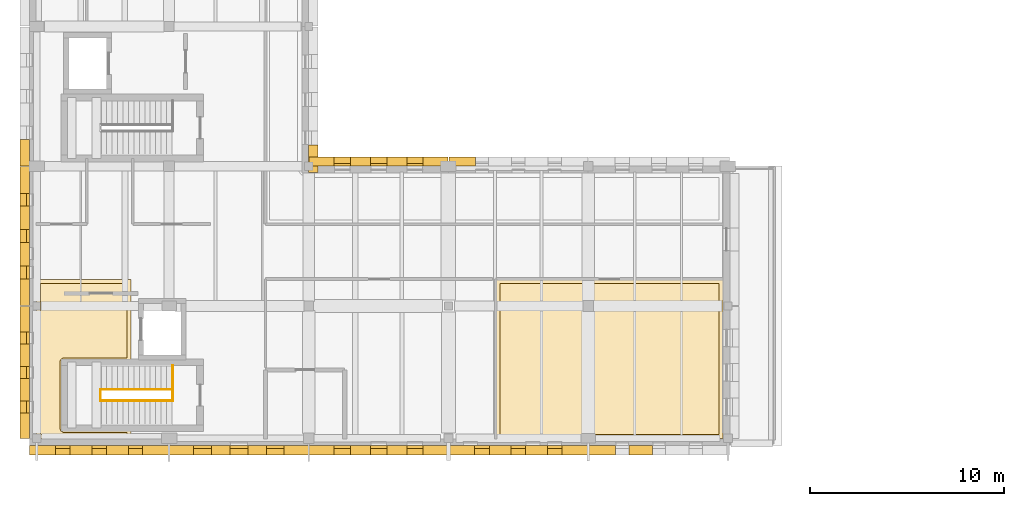
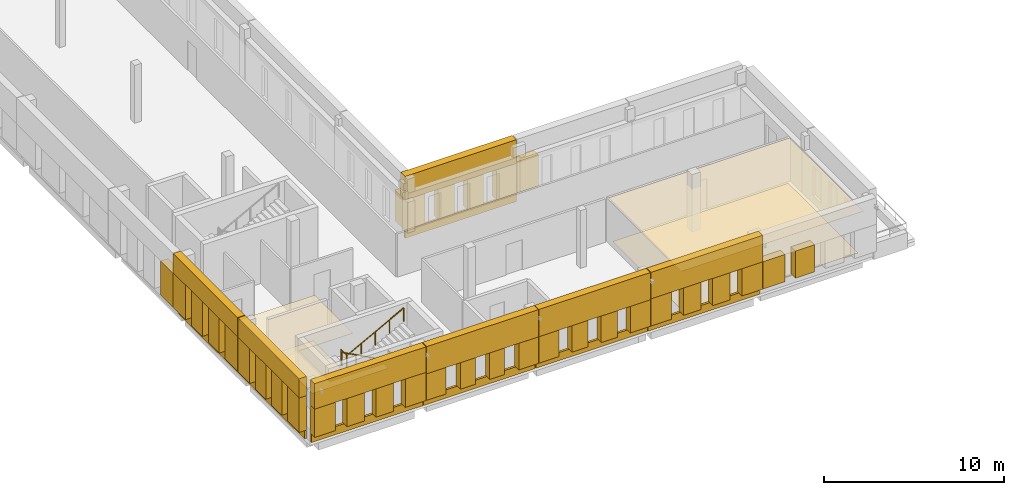
# One storey, part 28 of 34: 51 coverings, 4 railings.
"""IFC4 building model written with IfcOpenShell, lengths in metres."""

from ifc_helpers import new_model, si_unit, direction, frame, origin, origin_2d, place, context, subcontext, project, spatial, polyline, circle, outline, extrude, material, layer, layer_set, type_object, element, save


model = new_model("IFC4")

# Units and contexts
model_context = context("Model", 3, precision=1e-05, world=origin(), true_north=direction((0.0, 1.0)))
body_context = subcontext(model_context, "Body", "Model", "MODEL_VIEW")
ifc_project = project(units=[si_unit("LENGTHUNIT", "METRE"), si_unit("AREAUNIT", "SQUARE_METRE"), si_unit("VOLUMEUNIT", "CUBIC_METRE"), si_unit("PLANEANGLEUNIT", "RADIAN"), si_unit("MASSUNIT", "GRAM", prefix="KILO")], contexts=[model_context])

# Site, building, storey
site_placement = place(None, origin())
site = spatial("IfcSite", under=ifc_project, at=site_placement, CompositionType="ELEMENT")
building_placement = place(site_placement, origin())
building = spatial("IfcBuilding", under=site, at=building_placement, Name="Vardoun Plaza Health Centre", CompositionType="ELEMENT")
storey_placement = place(building_placement, frame((0.0, 0.0, 12.89990234375)))
storey = spatial("IfcBuildingStorey", under=building, at=storey_placement, Name="L03", CompositionType="ELEMENT", Elevation=12.89990234375)

# Coverings
ifc_material_1 = material(Name="Hygienic Acoustic Mineral-Fibre Ceiling", Category="concrete")
ifc_layer_1 = layer(ifc_material_1, 0.02490234375)
ifc_layer_set_1 = layer_set([ifc_layer_1], Name="Hygienic Acoustic Mineral-Fibre Ceiling")
covering_type_1 = type_object("IfcCoveringType", Name="CL-01", PredefinedType="CEILING", material=ifc_layer_set_1)
covering_1_placement = place(storey_placement, frame((0.0, 0.0, 2.880126953125)))
element("IfcCovering", 1, at=covering_1_placement, inside=storey, type_object=covering_type_1, Name="ENT Examination Room Acoustic Ceiling", PredefinedType="CEILING", context=body_context, shape_type="SweptSolid", body=[
    extrude(outline(polyline([(28.550048828125, 4.860107421875), (28.550048828125, 13.070068359375), (40.239990234375, 13.070068359375), (40.239990234375, 4.860107421875), (28.550048828125, 4.860107421875)])), origin(), (0.0, 0.0, 1.0), 0.02490234375),
])
covering_2_placement = place(storey_placement, frame((0.0, 0.0, 2.880126953125)))
element("IfcCovering", 2, at=covering_2_placement, inside=storey, type_object=covering_type_1, Name="Soiled Utility Room L03 Acoustic Ceiling", PredefinedType="CEILING", context=body_context, shape_type="SweptSolid", body=[
    extrude(outline(polyline([(4.860107421875, 13.070068359375), (9.75, 13.070068359375), (9.75, 8.81005859375), (6.300048828125, 8.81005859375), (6.299072265625, 8.81005859375), (6.298095703125, 8.809814453125), (6.297119140625, 8.8095703125), (6.296142578125, 8.80908203125), (6.29541015625, 8.808837890625), (6.29443359375, 8.808349609375), (6.293701171875, 8.8076171875), (6.29296875, 8.80712890625), (6.292236328125, 8.806396484375), (6.291748046875, 8.8056640625), (6.291259765625, 8.8046875), (6.290771484375, 8.8037109375), (6.290283203125, 8.802978515625), (6.290283203125, 8.802001953125), (6.2900390625, 8.801025390625), (6.2900390625, 8.800048828125), (6.2900390625, 5.39990234375), (6.2900390625, 5.39892578125), (6.290283203125, 5.39794921875), (6.290283203125, 5.397216796875), (6.290771484375, 5.396240234375), (6.291259765625, 5.395263671875), (6.291748046875, 5.394287109375), (6.292236328125, 5.393798828125), (6.29296875, 5.392822265625), (6.293701171875, 5.392333984375), (6.29443359375, 5.3916015625), (6.29541015625, 5.39111328125), (6.296142578125, 5.390869140625), (6.297119140625, 5.390380859375), (6.298095703125, 5.39013671875), (6.299072265625, 5.389892578125), (6.300048828125, 5.389892578125), (9.75, 5.389892578125), (9.75, 4.860107421875), (4.860107421875, 4.860107421875), (4.860107421875, 13.070068359375)])), origin(), (0.0, 0.0, 1.0), 0.02490234375),
])
ifc_material_2 = material(Name="Pale Limestone Concrete C35/45", Category="masonry")
ifc_layer_2 = layer(ifc_material_2, 0.080078125)
ifc_layer_set_2 = layer_set([ifc_layer_2], Name="Pale Limestone Concrete C35/45")
covering_type_2 = type_object("IfcCoveringType", Name="CL-EXT1", PredefinedType="CLADDING", material=ifc_layer_set_2)
covering_3_placement = place(storey_placement, frame((0.0, 0.0, 0.550048828125)))
element("IfcCovering", 3, at=covering_3_placement, inside=storey, type_object=covering_type_2, Name="V2 L03 Deep-Punched Slot Concrete Reveal Pier 356", PredefinedType="CLADDING", context=body_context, shape_type="SweptSolid", body=[
    extrude(outline(polyline([(18.89990234375, 20.005859375), (18.89990234375, 18.574951171875), (19.3798828125, 18.574951171875), (19.3798828125, 20.005859375), (18.89990234375, 20.005859375)])), origin(), (0.0, 0.0, 1.0), 2.080078125),
])
covering_4_placement = place(storey_placement, origin())
element("IfcCovering", 4, at=covering_4_placement, inside=storey, type_object=covering_type_2, Name="V2 L03 Pale Concrete Sill Band 357", PredefinedType="CLADDING", context=body_context, shape_type="SweptSolid", body=[
    extrude(outline(polyline([(18.919921875, 18.89990234375), (26.080078125, 18.89990234375), (26.080078125, 19.0400390625), (18.919921875, 19.0400390625), (18.919921875, 18.89990234375)])), origin(), (0.0, 0.0, 1.0), 0.550048828125),
])
covering_5_placement = place(storey_placement, frame((0.0, 0.0, 2.590087890625)))
element("IfcCovering", 5, at=covering_5_placement, inside=storey, type_object=covering_type_2, Name="V2 L03 Sculpted Concrete Eyebrow Hood 358", PredefinedType="CLADDING", context=body_context, shape_type="SweptSolid", body=[
    extrude(outline(polyline([(18.919921875, 18.89990234375), (26.080078125, 18.89990234375), (26.080078125, 19.3798828125), (18.919921875, 19.3798828125), (18.919921875, 18.89990234375)])), origin(), (0.0, 0.0, 1.0), 1.610107421875),
])
covering_6_placement = place(storey_placement, frame((0.0, 0.0, 0.550048828125)))
element("IfcCovering", 6, at=covering_6_placement, inside=storey, type_object=covering_type_2, Name="V2 L03 Deep-Punched Slot Concrete Reveal Pier 359", PredefinedType="CLADDING", context=body_context, shape_type="SweptSolid", body=[
    extrude(outline(polyline([(18.919921875, 18.89990234375), (20.2080078125, 18.89990234375), (20.2080078125, 19.3798828125), (18.919921875, 19.3798828125), (18.919921875, 18.89990234375)])), origin(), (0.0, 0.0, 1.0), 2.0400390625),
])
covering_7_placement = place(storey_placement, frame((0.0, 0.0, 0.550048828125)))
element("IfcCovering", 7, at=covering_7_placement, inside=storey, type_object=covering_type_2, Name="V2 L03 Deep-Punched Slot Concrete Reveal Pier 360", PredefinedType="CLADDING", context=body_context, shape_type="SweptSolid", body=[
    extrude(outline(polyline([(21.048095703125, 18.89990234375), (22.080078125, 18.89990234375), (22.080078125, 19.3798828125), (21.048095703125, 19.3798828125), (21.048095703125, 18.89990234375)])), origin(), (0.0, 0.0, 1.0), 2.0400390625),
])
covering_8_placement = place(storey_placement, frame((0.0, 0.0, 0.550048828125)))
element("IfcCovering", 8, at=covering_8_placement, inside=storey, type_object=covering_type_2, Name="V2 L03 Deep-Punched Slot Concrete Reveal Pier 361", PredefinedType="CLADDING", context=body_context, shape_type="SweptSolid", body=[
    extrude(outline(polyline([(22.919921875, 18.89990234375), (23.951904296875, 18.89990234375), (23.951904296875, 19.3798828125), (22.919921875, 19.3798828125), (22.919921875, 18.89990234375)])), origin(), (0.0, 0.0, 1.0), 2.0400390625),
])
covering_9_placement = place(storey_placement, frame((0.0, 0.0, 0.550048828125)))
element("IfcCovering", 9, at=covering_9_placement, inside=storey, type_object=covering_type_2, Name="V2 L03 Deep-Punched Slot Concrete Reveal Pier 362", PredefinedType="CLADDING", context=body_context, shape_type="SweptSolid", body=[
    extrude(outline(polyline([(24.7919921875, 18.89990234375), (26.080078125, 18.89990234375), (26.080078125, 19.3798828125), (24.7919921875, 19.3798828125), (24.7919921875, 18.89990234375)])), origin(), (0.0, 0.0, 1.0), 2.0400390625),
])
covering_10_placement = place(storey_placement, frame((0.0, 0.0, 0.550048828125)))
element("IfcCovering", 10, at=covering_10_placement, inside=storey, type_object=covering_type_2, Name="V2 L03 Deep-Punched Slot Concrete Reveal Pier 365", PredefinedType="CLADDING", context=body_context, shape_type="SweptSolid", body=[
    extrude(outline(polyline([(26.1201171875, 18.89990234375), (27.48291015625, 18.89990234375), (27.48291015625, 19.3798828125), (26.1201171875, 19.3798828125), (26.1201171875, 18.89990234375)])), origin(), (0.0, 0.0, 1.0), 2.14013671875),
])
covering_11_placement = place(storey_placement, frame((0.0, 0.0, 0.550048828125)))
element("IfcCovering", 11, at=covering_11_placement, inside=storey, type_object=covering_type_2, Name="V2 L03 Deep-Punched Slot Concrete Reveal Pier 388", PredefinedType="CLADDING", context=body_context, shape_type="SweptSolid", body=[
    extrude(outline(polyline([(36.610107421875, 4.5), (35.39208984375, 4.5), (35.39208984375, 4.02001953125), (36.610107421875, 4.02001953125), (36.610107421875, 4.5)])), origin(), (0.0, 0.0, 1.0), 1.85009765625),
])
covering_12_placement = place(storey_placement, frame((0.0, 0.0, 0.550048828125)))
element("IfcCovering", 12, at=covering_12_placement, inside=storey, type_object=covering_type_2, Name="V2 L03 Deep-Punched Slot Concrete Reveal Pier 389", PredefinedType="CLADDING", context=body_context, shape_type="SweptSolid", body=[
    extrude(outline(polyline([(34.7119140625, 4.5), (33.320068359375, 4.5), (33.320068359375, 4.02001953125), (34.7119140625, 4.02001953125), (34.7119140625, 4.5)])), origin(), (0.0, 0.0, 1.0), 1.85009765625),
])
covering_13_placement = place(storey_placement, origin())
element("IfcCovering", 13, at=covering_13_placement, inside=storey, type_object=covering_type_2, Name="V2 L03 Pale Concrete Sill Band 390", PredefinedType="CLADDING", context=body_context, shape_type="SweptSolid", body=[
    extrude(outline(polyline([(33.280029296875, 4.5), (26.1201171875, 4.5), (26.1201171875, 4.360107421875), (33.280029296875, 4.360107421875), (33.280029296875, 4.5)])), origin(), (0.0, 0.0, 1.0), 0.550048828125),
])
covering_14_placement = place(storey_placement, frame((0.0, 0.0, 2.400146484375)))
element("IfcCovering", 14, at=covering_14_placement, inside=storey, type_object=covering_type_2, Name="V2 L03 Sculpted Concrete Eyebrow Hood 391", PredefinedType="CLADDING", context=body_context, shape_type="SweptSolid", body=[
    extrude(outline(polyline([(33.280029296875, 4.5), (26.1201171875, 4.5), (26.1201171875, 4.02001953125), (33.280029296875, 4.02001953125), (33.280029296875, 4.5)])), origin(), (0.0, 0.0, 1.0), 1.800048828125),
])
covering_15_placement = place(storey_placement, frame((0.0, 0.0, 0.550048828125)))
element("IfcCovering", 15, at=covering_15_placement, inside=storey, type_object=covering_type_2, Name="V2 L03 Deep-Punched Slot Concrete Reveal Pier 392", PredefinedType="CLADDING", context=body_context, shape_type="SweptSolid", body=[
    extrude(outline(polyline([(33.280029296875, 4.5), (31.951904296875, 4.5), (31.951904296875, 4.02001953125), (33.280029296875, 4.02001953125), (33.280029296875, 4.5)])), origin(), (0.0, 0.0, 1.0), 1.85009765625),
])
covering_16_placement = place(storey_placement, frame((0.0, 0.0, 0.550048828125)))
element("IfcCovering", 16, at=covering_16_placement, inside=storey, type_object=covering_type_2, Name="V2 L03 Deep-Punched Slot Concrete Reveal Pier 393", PredefinedType="CLADDING", context=body_context, shape_type="SweptSolid", body=[
    extrude(outline(polyline([(31.19189453125, 4.5), (30.080078125, 4.5), (30.080078125, 4.02001953125), (31.19189453125, 4.02001953125), (31.19189453125, 4.5)])), origin(), (0.0, 0.0, 1.0), 1.85009765625),
])
covering_17_placement = place(storey_placement, frame((0.0, 0.0, 0.550048828125)))
element("IfcCovering", 17, at=covering_17_placement, inside=storey, type_object=covering_type_2, Name="V2 L03 Deep-Punched Slot Concrete Reveal Pier 394", PredefinedType="CLADDING", context=body_context, shape_type="SweptSolid", body=[
    extrude(outline(polyline([(29.320068359375, 4.5), (28.2080078125, 4.5), (28.2080078125, 4.02001953125), (29.320068359375, 4.02001953125), (29.320068359375, 4.5)])), origin(), (0.0, 0.0, 1.0), 1.85009765625),
])
covering_18_placement = place(storey_placement, frame((0.0, 0.0, 0.550048828125)))
element("IfcCovering", 18, at=covering_18_placement, inside=storey, type_object=covering_type_2, Name="V2 L03 Deep-Punched Slot Concrete Reveal Pier 395", PredefinedType="CLADDING", context=body_context, shape_type="SweptSolid", body=[
    extrude(outline(polyline([(27.447998046875, 4.5), (26.1201171875, 4.5), (26.1201171875, 4.02001953125), (27.447998046875, 4.02001953125), (27.447998046875, 4.5)])), origin(), (0.0, 0.0, 1.0), 1.85009765625),
])
covering_19_placement = place(storey_placement, origin())
element("IfcCovering", 19, at=covering_19_placement, inside=storey, type_object=covering_type_2, Name="V2 L03 Pale Concrete Sill Band 396", PredefinedType="CLADDING", context=body_context, shape_type="SweptSolid", body=[
    extrude(outline(polyline([(26.080078125, 4.5), (18.919921875, 4.5), (18.919921875, 4.360107421875), (26.080078125, 4.360107421875), (26.080078125, 4.5)])), origin(), (0.0, 0.0, 1.0), 0.550048828125),
])
covering_20_placement = place(storey_placement, frame((0.0, 0.0, 2.35009765625)))
element("IfcCovering", 20, at=covering_20_placement, inside=storey, type_object=covering_type_2, Name="V2 L03 Sculpted Concrete Eyebrow Hood 397", PredefinedType="CLADDING", context=body_context, shape_type="SweptSolid", body=[
    extrude(outline(polyline([(26.080078125, 4.5), (18.919921875, 4.5), (18.919921875, 4.02001953125), (26.080078125, 4.02001953125), (26.080078125, 4.5)])), origin(), (0.0, 0.0, 1.0), 1.85009765625),
])
covering_21_placement = place(storey_placement, frame((0.0, 0.0, 0.550048828125)))
element("IfcCovering", 21, at=covering_21_placement, inside=storey, type_object=covering_type_2, Name="V2 L03 Deep-Punched Slot Concrete Reveal Pier 398", PredefinedType="CLADDING", context=body_context, shape_type="SweptSolid", body=[
    extrude(outline(polyline([(26.080078125, 4.5), (24.7919921875, 4.5), (24.7919921875, 4.02001953125), (26.080078125, 4.02001953125), (26.080078125, 4.5)])), origin(), (0.0, 0.0, 1.0), 1.800048828125),
])
covering_22_placement = place(storey_placement, frame((0.0, 0.0, 0.550048828125)))
element("IfcCovering", 22, at=covering_22_placement, inside=storey, type_object=covering_type_2, Name="V2 L03 Deep-Punched Slot Concrete Reveal Pier 399", PredefinedType="CLADDING", context=body_context, shape_type="SweptSolid", body=[
    extrude(outline(polyline([(23.951904296875, 4.5), (22.919921875, 4.5), (22.919921875, 4.02001953125), (23.951904296875, 4.02001953125), (23.951904296875, 4.5)])), origin(), (0.0, 0.0, 1.0), 1.800048828125),
])
covering_23_placement = place(storey_placement, frame((0.0, 0.0, 0.550048828125)))
element("IfcCovering", 23, at=covering_23_placement, inside=storey, type_object=covering_type_2, Name="V2 L03 Deep-Punched Slot Concrete Reveal Pier 400", PredefinedType="CLADDING", context=body_context, shape_type="SweptSolid", body=[
    extrude(outline(polyline([(22.080078125, 4.5), (21.048095703125, 4.5), (21.048095703125, 4.02001953125), (22.080078125, 4.02001953125), (22.080078125, 4.5)])), origin(), (0.0, 0.0, 1.0), 1.800048828125),
])
covering_24_placement = place(storey_placement, frame((0.0, 0.0, 0.550048828125)))
element("IfcCovering", 24, at=covering_24_placement, inside=storey, type_object=covering_type_2, Name="V2 L03 Deep-Punched Slot Concrete Reveal Pier 401", PredefinedType="CLADDING", context=body_context, shape_type="SweptSolid", body=[
    extrude(outline(polyline([(20.2080078125, 4.5), (18.919921875, 4.5), (18.919921875, 4.02001953125), (20.2080078125, 4.02001953125), (20.2080078125, 4.5)])), origin(), (0.0, 0.0, 1.0), 1.800048828125),
])
covering_25_placement = place(storey_placement, origin())
element("IfcCovering", 25, at=covering_25_placement, inside=storey, type_object=covering_type_2, Name="V2 L03 Pale Concrete Sill Band 402", PredefinedType="CLADDING", context=body_context, shape_type="SweptSolid", body=[
    extrude(outline(polyline([(18.8798828125, 4.5), (11.719970703125, 4.5), (11.719970703125, 4.360107421875), (18.8798828125, 4.360107421875), (18.8798828125, 4.5)])), origin(), (0.0, 0.0, 1.0), 0.550048828125),
])
covering_26_placement = place(storey_placement, frame((0.0, 0.0, 2.35009765625)))
element("IfcCovering", 26, at=covering_26_placement, inside=storey, type_object=covering_type_2, Name="V2 L03 Sculpted Concrete Eyebrow Hood 403", PredefinedType="CLADDING", context=body_context, shape_type="SweptSolid", body=[
    extrude(outline(polyline([(18.8798828125, 4.5), (11.719970703125, 4.5), (11.719970703125, 4.02001953125), (18.8798828125, 4.02001953125), (18.8798828125, 4.5)])), origin(), (0.0, 0.0, 1.0), 1.85009765625),
])
covering_27_placement = place(storey_placement, frame((0.0, 0.0, 0.550048828125)))
element("IfcCovering", 27, at=covering_27_placement, inside=storey, type_object=covering_type_2, Name="V2 L03 Deep-Punched Slot Concrete Reveal Pier 404", PredefinedType="CLADDING", context=body_context, shape_type="SweptSolid", body=[
    extrude(outline(polyline([(18.8798828125, 4.5), (17.632080078125, 4.5), (17.632080078125, 4.02001953125), (18.8798828125, 4.02001953125), (18.8798828125, 4.5)])), origin(), (0.0, 0.0, 1.0), 1.800048828125),
])
covering_28_placement = place(storey_placement, frame((0.0, 0.0, 0.550048828125)))
element("IfcCovering", 28, at=covering_28_placement, inside=storey, type_object=covering_type_2, Name="V2 L03 Deep-Punched Slot Concrete Reveal Pier 405", PredefinedType="CLADDING", context=body_context, shape_type="SweptSolid", body=[
    extrude(outline(polyline([(16.7119140625, 4.5), (15.760009765625, 4.5), (15.760009765625, 4.02001953125), (16.7119140625, 4.02001953125), (16.7119140625, 4.5)])), origin(), (0.0, 0.0, 1.0), 1.800048828125),
])
covering_29_placement = place(storey_placement, frame((0.0, 0.0, 0.550048828125)))
element("IfcCovering", 29, at=covering_29_placement, inside=storey, type_object=covering_type_2, Name="V2 L03 Deep-Punched Slot Concrete Reveal Pier 406", PredefinedType="CLADDING", context=body_context, shape_type="SweptSolid", body=[
    extrude(outline(polyline([(14.840087890625, 4.5), (13.887939453125, 4.5), (13.887939453125, 4.02001953125), (14.840087890625, 4.02001953125), (14.840087890625, 4.5)])), origin(), (0.0, 0.0, 1.0), 1.800048828125),
])
covering_30_placement = place(storey_placement, frame((0.0, 0.0, 0.550048828125)))
element("IfcCovering", 30, at=covering_30_placement, inside=storey, type_object=covering_type_2, Name="V2 L03 Deep-Punched Slot Concrete Reveal Pier 407", PredefinedType="CLADDING", context=body_context, shape_type="SweptSolid", body=[
    extrude(outline(polyline([(12.968017578125, 4.5), (11.719970703125, 4.5), (11.719970703125, 4.02001953125), (12.968017578125, 4.02001953125), (12.968017578125, 4.5)])), origin(), (0.0, 0.0, 1.0), 1.800048828125),
])
covering_31_placement = place(storey_placement, origin())
element("IfcCovering", 31, at=covering_31_placement, inside=storey, type_object=covering_type_2, Name="V2 L03 Pale Concrete Sill Band 408", PredefinedType="CLADDING", context=body_context, shape_type="SweptSolid", body=[
    extrude(outline(polyline([(11.679931640625, 4.5), (4.52001953125, 4.5), (4.52001953125, 4.360107421875), (11.679931640625, 4.360107421875), (11.679931640625, 4.5)])), origin(), (0.0, 0.0, 1.0), 0.550048828125),
])
covering_32_placement = place(storey_placement, frame((0.0, 0.0, 2.47021484375)))
element("IfcCovering", 32, at=covering_32_placement, inside=storey, type_object=covering_type_2, Name="V2 L03 Sculpted Concrete Eyebrow Hood 409", PredefinedType="CLADDING", context=body_context, shape_type="SweptSolid", body=[
    extrude(outline(polyline([(11.679931640625, 4.5), (4.52001953125, 4.5), (4.52001953125, 4.02001953125), (11.679931640625, 4.02001953125), (11.679931640625, 4.5)])), origin(), (0.0, 0.0, 1.0), 1.72998046875),
])
covering_33_placement = place(storey_placement, frame((0.0, 0.0, 0.550048828125)))
element("IfcCovering", 33, at=covering_33_placement, inside=storey, type_object=covering_type_2, Name="V2 L03 Deep-Punched Slot Concrete Reveal Pier 410", PredefinedType="CLADDING", context=body_context, shape_type="SweptSolid", body=[
    extrude(outline(polyline([(11.679931640625, 4.5), (10.342041015625, 4.5), (10.342041015625, 4.02001953125), (11.679931640625, 4.02001953125), (11.679931640625, 4.5)])), origin(), (0.0, 0.0, 1.0), 1.920166015625),
])
covering_34_placement = place(storey_placement, frame((0.0, 0.0, 0.550048828125)))
element("IfcCovering", 34, at=covering_34_placement, inside=storey, type_object=covering_type_2, Name="V2 L03 Deep-Punched Slot Concrete Reveal Pier 411", PredefinedType="CLADDING", context=body_context, shape_type="SweptSolid", body=[
    extrude(outline(polyline([(9.60205078125, 4.5), (8.469970703125, 4.5), (8.469970703125, 4.02001953125), (9.60205078125, 4.02001953125), (9.60205078125, 4.5)])), origin(), (0.0, 0.0, 1.0), 1.920166015625),
])
covering_35_placement = place(storey_placement, frame((0.0, 0.0, 0.550048828125)))
element("IfcCovering", 35, at=covering_35_placement, inside=storey, type_object=covering_type_2, Name="V2 L03 Deep-Punched Slot Concrete Reveal Pier 412", PredefinedType="CLADDING", context=body_context, shape_type="SweptSolid", body=[
    extrude(outline(polyline([(7.72998046875, 4.5), (6.597900390625, 4.5), (6.597900390625, 4.02001953125), (7.72998046875, 4.02001953125), (7.72998046875, 4.5)])), origin(), (0.0, 0.0, 1.0), 1.920166015625),
])
covering_36_placement = place(storey_placement, frame((0.0, 0.0, 0.550048828125)))
element("IfcCovering", 36, at=covering_36_placement, inside=storey, type_object=covering_type_2, Name="V2 L03 Deep-Punched Slot Concrete Reveal Pier 413", PredefinedType="CLADDING", context=body_context, shape_type="SweptSolid", body=[
    extrude(outline(polyline([(5.85791015625, 4.5), (4.52001953125, 4.5), (4.52001953125, 4.02001953125), (5.85791015625, 4.02001953125), (5.85791015625, 4.5)])), origin(), (0.0, 0.0, 1.0), 1.920166015625),
])
covering_37_placement = place(storey_placement, origin())
element("IfcCovering", 37, at=covering_37_placement, inside=storey, type_object=covering_type_2, Name="V2 L03 Pale Concrete Sill Band 414", PredefinedType="CLADDING", context=body_context, shape_type="SweptSolid", body=[
    extrude(outline(polyline([(4.5, 4.864990234375), (4.5, 11.679931640625), (4.360107421875, 11.679931640625), (4.360107421875, 4.864990234375), (4.5, 4.864990234375)])), origin(), (0.0, 0.0, 1.0), 0.550048828125),
])
covering_38_placement = place(storey_placement, frame((0.0, 0.0, 2.900146484375)))
element("IfcCovering", 38, at=covering_38_placement, inside=storey, type_object=covering_type_2, Name="V2 L03 Sculpted Concrete Eyebrow Hood 415", PredefinedType="CLADDING", context=body_context, shape_type="SweptSolid", body=[
    extrude(outline(polyline([(4.5, 4.864990234375), (4.5, 11.679931640625), (4.02001953125, 11.679931640625), (4.02001953125, 4.864990234375), (4.5, 4.864990234375)])), origin(), (0.0, 0.0, 1.0), 1.300048828125),
])
covering_39_placement = place(storey_placement, frame((0.0, 0.0, 0.550048828125)))
element("IfcCovering", 39, at=covering_39_placement, inside=storey, type_object=covering_type_2, Name="V2 L03 Deep-Punched Slot Concrete Reveal Pier 416", PredefinedType="CLADDING", context=body_context, shape_type="SweptSolid", body=[
    extrude(outline(polyline([(4.5, 4.864990234375), (4.5, 6.18017578125), (4.02001953125, 6.18017578125), (4.02001953125, 4.864990234375), (4.5, 4.864990234375)])), origin(), (0.0, 0.0, 1.0), 2.35009765625),
])
covering_40_placement = place(storey_placement, frame((0.0, 0.0, 0.550048828125)))
element("IfcCovering", 40, at=covering_40_placement, inside=storey, type_object=covering_type_2, Name="V2 L03 Deep-Punched Slot Concrete Reveal Pier 417", PredefinedType="CLADDING", context=body_context, shape_type="SweptSolid", body=[
    extrude(outline(polyline([(4.5, 6.80029296875), (4.5, 7.96240234375), (4.02001953125, 7.96240234375), (4.02001953125, 6.80029296875), (4.5, 6.80029296875)])), origin(), (0.0, 0.0, 1.0), 2.35009765625),
])
covering_41_placement = place(storey_placement, frame((0.0, 0.0, 0.550048828125)))
element("IfcCovering", 41, at=covering_41_placement, inside=storey, type_object=covering_type_2, Name="V2 L03 Deep-Punched Slot Concrete Reveal Pier 418", PredefinedType="CLADDING", context=body_context, shape_type="SweptSolid", body=[
    extrude(outline(polyline([(4.5, 8.58251953125), (4.5, 9.744873046875), (4.02001953125, 9.744873046875), (4.02001953125, 8.58251953125), (4.5, 8.58251953125)])), origin(), (0.0, 0.0, 1.0), 2.35009765625),
])
covering_42_placement = place(storey_placement, frame((0.0, 0.0, 0.550048828125)))
element("IfcCovering", 42, at=covering_42_placement, inside=storey, type_object=covering_type_2, Name="V2 L03 Deep-Punched Slot Concrete Reveal Pier 419", PredefinedType="CLADDING", context=body_context, shape_type="SweptSolid", body=[
    extrude(outline(polyline([(4.5, 10.36474609375), (4.5, 11.679931640625), (4.02001953125, 11.679931640625), (4.02001953125, 10.36474609375), (4.5, 10.36474609375)])), origin(), (0.0, 0.0, 1.0), 2.35009765625),
])
covering_43_placement = place(storey_placement, origin())
element("IfcCovering", 43, at=covering_43_placement, inside=storey, type_object=covering_type_2, Name="V2 L03 Pale Concrete Sill Band 420", PredefinedType="CLADDING", context=body_context, shape_type="SweptSolid", body=[
    extrude(outline(polyline([(4.5, 11.719970703125), (4.5, 18.8798828125), (4.360107421875, 18.8798828125), (4.360107421875, 11.719970703125), (4.5, 11.719970703125)])), origin(), (0.0, 0.0, 1.0), 0.550048828125),
])
covering_44_placement = place(storey_placement, frame((0.0, 0.0, 2.900146484375)))
element("IfcCovering", 44, at=covering_44_placement, inside=storey, type_object=covering_type_2, Name="V2 L03 Sculpted Concrete Eyebrow Hood 421", PredefinedType="CLADDING", context=body_context, shape_type="SweptSolid", body=[
    extrude(outline(polyline([(4.5, 11.719970703125), (4.5, 18.8798828125), (4.02001953125, 18.8798828125), (4.02001953125, 11.719970703125), (4.5, 11.719970703125)])), origin(), (0.0, 0.0, 1.0), 1.300048828125),
])
covering_45_placement = place(storey_placement, frame((0.0, 0.0, 0.550048828125)))
element("IfcCovering", 45, at=covering_45_placement, inside=storey, type_object=covering_type_2, Name="V2 L03 Deep-Punched Slot Concrete Reveal Pier 422", PredefinedType="CLADDING", context=body_context, shape_type="SweptSolid", body=[
    extrude(outline(polyline([(4.5, 11.719970703125), (4.5, 13.097900390625), (4.02001953125, 13.097900390625), (4.02001953125, 11.719970703125), (4.5, 11.719970703125)])), origin(), (0.0, 0.0, 1.0), 2.35009765625),
])
covering_46_placement = place(storey_placement, frame((0.0, 0.0, 0.550048828125)))
element("IfcCovering", 46, at=covering_46_placement, inside=storey, type_object=covering_type_2, Name="V2 L03 Deep-Punched Slot Concrete Reveal Pier 423", PredefinedType="CLADDING", context=body_context, shape_type="SweptSolid", body=[
    extrude(outline(polyline([(4.5, 13.758056640625), (4.5, 14.969970703125), (4.02001953125, 14.969970703125), (4.02001953125, 13.758056640625), (4.5, 13.758056640625)])), origin(), (0.0, 0.0, 1.0), 2.35009765625),
])
covering_47_placement = place(storey_placement, frame((0.0, 0.0, 0.550048828125)))
element("IfcCovering", 47, at=covering_47_placement, inside=storey, type_object=covering_type_2, Name="V2 L03 Deep-Punched Slot Concrete Reveal Pier 424", PredefinedType="CLADDING", context=body_context, shape_type="SweptSolid", body=[
    extrude(outline(polyline([(4.5, 15.6298828125), (4.5, 16.842041015625), (4.02001953125, 16.842041015625), (4.02001953125, 15.6298828125), (4.5, 15.6298828125)])), origin(), (0.0, 0.0, 1.0), 2.35009765625),
])
covering_48_placement = place(storey_placement, frame((0.0, 0.0, 0.550048828125)))
element("IfcCovering", 48, at=covering_48_placement, inside=storey, type_object=covering_type_2, Name="V2 L03 Deep-Punched Slot Concrete Reveal Pier 425", PredefinedType="CLADDING", context=body_context, shape_type="SweptSolid", body=[
    extrude(outline(polyline([(4.5, 17.501953125), (4.5, 18.8798828125), (4.02001953125, 18.8798828125), (4.02001953125, 17.501953125), (4.5, 17.501953125)])), origin(), (0.0, 0.0, 1.0), 2.35009765625),
])
covering_49_placement = place(storey_placement, frame((0.0, 0.0, 0.550048828125)))
element("IfcCovering", 49, at=covering_49_placement, inside=storey, type_object=covering_type_2, Name="V2 L03 Deep-Punched Slot Concrete Reveal Pier 428", PredefinedType="CLADDING", context=body_context, shape_type="SweptSolid", body=[
    extrude(outline(polyline([(4.5, 18.919921875), (4.5, 20.278076171875), (4.02001953125, 20.278076171875), (4.02001953125, 18.919921875), (4.5, 18.919921875)])), origin(), (0.0, 0.0, 1.0), 2.300048828125),
])
ifc_material_3 = material(Name="Seamless Conductive Clinical Vinyl Flooring", Category="concrete")
ifc_layer_3 = layer(ifc_material_3, 0.014892578125)
ifc_layer_set_3 = layer_set([ifc_layer_3], Name="Seamless Conductive Clinical Vinyl Flooring")
covering_type_3 = type_object("IfcCoveringType", Name="FL-01", PredefinedType="FLOORING", material=ifc_layer_set_3)
covering_50_placement = place(storey_placement, origin())
element("IfcCovering", 50, at=covering_50_placement, inside=storey, type_object=covering_type_3, Name="ENT Examination Room Floor Finish", PredefinedType="FLOORING", context=body_context, shape_type="SweptSolid", body=[
    extrude(outline(polyline([(28.760009765625, 5.070068359375), (28.760009765625, 12.860107421875), (40.030029296875, 12.860107421875), (40.030029296875, 5.070068359375), (28.760009765625, 5.070068359375)])), origin(), (0.0, 0.0, 1.0), 0.01513671875),
])
covering_51_placement = place(storey_placement, origin())
element("IfcCovering", 51, at=covering_51_placement, inside=storey, type_object=covering_type_3, Name="Soiled Utility Room L03 Floor Finish", PredefinedType="FLOORING", context=body_context, shape_type="SweptSolid", body=[
    extrude(outline(polyline([(5.070068359375, 12.860107421875), (9.5400390625, 12.860107421875), (9.5400390625, 9.02001953125), (6.300048828125, 9.02001953125), (6.2783203125, 9.018798828125), (6.257080078125, 9.015869140625), (6.236083984375, 9.010498046875), (6.2158203125, 9.00341796875), (6.1962890625, 8.993896484375), (6.177734375, 8.98291015625), (6.160400390625, 8.97021484375), (6.144287109375, 8.95556640625), (6.1298828125, 8.939697265625), (6.1171875, 8.922119140625), (6.10595703125, 8.90380859375), (6.0966796875, 8.88427734375), (6.089599609375, 8.864013671875), (6.084228515625, 8.843017578125), (6.0810546875, 8.821533203125), (6.080078125, 8.800048828125), (6.080078125, 5.39990234375), (6.0810546875, 5.37841796875), (6.084228515625, 5.357177734375), (6.089599609375, 5.336181640625), (6.0966796875, 5.31591796875), (6.10595703125, 5.29638671875), (6.1171875, 5.27783203125), (6.1298828125, 5.260498046875), (6.144287109375, 5.244384765625), (6.160400390625, 5.22998046875), (6.177734375, 5.217041015625), (6.1962890625, 5.2060546875), (6.2158203125, 5.19677734375), (6.236083984375, 5.189453125), (6.257080078125, 5.18408203125), (6.2783203125, 5.18115234375), (6.300048828125, 5.179931640625), (9.5400390625, 5.179931640625), (9.5400390625, 5.070068359375), (5.070068359375, 5.070068359375), (5.070068359375, 12.860107421875)])), origin(), (0.0, 0.0, 1.0), 0.01513671875),
])

# Railings
ifc_material_4 = material(Name="Painted Steel S275JR Stair-Well Guardrail", Category="steel")
railing_type_1 = type_object("IfcRailingType", Name="GR-04", PredefinedType="GUARDRAIL", material=ifc_material_4)
railing_1_placement = place(storey_placement, frame((11.889892578125, 6.804931640625, 0.0)))
element("IfcRailing", 52, at=railing_1_placement, inside=storey, type_object=railing_type_1, Name="Stair ST-C1-L02 Upper Landing Well Guard", PredefinedType="GUARDRAIL", context=body_context, shape_type="SweptSolid", body=[
    extrude(circle(Radius=0.02392578125, at=origin_2d()), frame((0.0, 0.0, 1.09619140625), z_axis=(0.0, 1.0, 0.0), x_axis=(-1.0, 0.0, 0.0)), (0.0, 0.0, 1.0), 1.815185546875),
    extrude(circle(Radius=0.02099609375, at=origin_2d()), origin(), (0.0, 0.0, 1.0), 1.072021484375),
    extrude(circle(Radius=0.02099609375, at=origin_2d()), frame((0.0, 0.90771484375, 0.0)), (0.0, 0.0, 1.0), 1.072021484375),
    extrude(circle(Radius=0.02099609375, at=origin_2d()), frame((0.0, 1.815185546875, 0.0)), (0.0, 0.0, 1.0), 1.072021484375),
])
railing_2_placement = place(storey_placement, frame((8.169921875, 6.804931640625, 2.10009765625)))
element("IfcRailing", 53, at=railing_2_placement, inside=storey, type_object=railing_type_1, Name="Stair ST-C1-L03 Mid-Landing Well Guard", PredefinedType="GUARDRAIL", context=body_context, shape_type="SweptSolid", body=[
    extrude(circle(Radius=0.02392578125, at=origin_2d()), frame((0.0, 0.0, 1.09619140625), z_axis=(0.0, 1.0, 0.0), x_axis=(-1.0, 0.0, 0.0)), (0.0, 0.0, 1.0), 0.590087890625),
    extrude(circle(Radius=0.02099609375, at=origin_2d()), origin(), (0.0, 0.0, 1.0), 1.072021484375),
    extrude(circle(Radius=0.02099609375, at=origin_2d()), frame((0.0, 0.590087890625, 0.0)), (0.0, 0.0, 1.0), 1.072021484375),
])
ifc_material_5 = material(Name="Brushed Stainless Steel Grade 316L", Category="steel")
railing_type_2 = type_object("IfcRailingType", Name="HR-01", PredefinedType="HANDRAIL", material=ifc_material_5)
railing_3_placement = place(storey_placement, frame((11.85009765625, 7.39501953125, 0.150146484375)))
element("IfcRailing", 54, at=railing_3_placement, inside=storey, type_object=railing_type_2, Name="Stair ST-C1-L03 Flight 1 Handrail", PredefinedType="HANDRAIL", context=body_context, shape_type="SweptSolid", body=[
    extrude(circle(Radius=0.02392578125, at=origin_2d()), frame((0.0, 0.0, 0.89599609375), z_axis=(-0.881492274372, 0.0, 0.472198443689), x_axis=(0.0, -1.0, 0.0)), (0.0, 0.0, 1.0), 4.12939453125),
    extrude(circle(Radius=0.02099609375, at=origin_2d()), origin(), (0.0, 0.0, 1.0), 0.871826171875),
    extrude(circle(Radius=0.02099609375, at=origin_2d()), frame((-0.91015625, 0.0, 0.487548828125)), (0.0, 0.0, 1.0), 0.871826171875),
    extrude(circle(Radius=0.02099609375, at=origin_2d()), frame((-1.820068359375, 0.0, 0.97509765625)), (0.0, 0.0, 1.0), 0.871826171875),
    extrude(circle(Radius=0.02099609375, at=origin_2d()), frame((-2.72998046875, 0.0, 1.46240234375)), (0.0, 0.0, 1.0), 0.871826171875),
    extrude(circle(Radius=0.02099609375, at=origin_2d()), frame((-3.64013671875, 0.0, 1.949951171875)), (0.0, 0.0, 1.0), 0.871826171875),
])
railing_4_placement = place(storey_placement, frame((8.2099609375, 6.804931640625, 2.25)))
element("IfcRailing", 55, at=railing_4_placement, inside=storey, type_object=railing_type_2, Name="Stair ST-C1-L03 Flight 2 Handrail", PredefinedType="HANDRAIL", context=body_context, shape_type="SweptSolid", body=[
    extrude(circle(Radius=0.02392578125, at=origin_2d()), frame((0.0, 0.0, 0.89599609375), z_axis=(0.881467665431, 0.0, 0.47224438038), x_axis=(0.0, 1.0, 0.0)), (0.0, 0.0, 1.0), 4.129638671875),
    extrude(circle(Radius=0.02099609375, at=origin_2d()), origin(), (0.0, 0.0, 1.0), 0.871826171875),
    extrude(circle(Radius=0.02099609375, at=origin_2d()), frame((0.91015625, 0.0, 0.487548828125)), (0.0, 0.0, 1.0), 0.871826171875),
    extrude(circle(Radius=0.02099609375, at=origin_2d()), frame((1.820068359375, 0.0, 0.97509765625)), (0.0, 0.0, 1.0), 0.871826171875),
    extrude(circle(Radius=0.02099609375, at=origin_2d()), frame((2.72998046875, 0.0, 1.462646484375)), (0.0, 0.0, 1.0), 0.871826171875),
    extrude(circle(Radius=0.02099609375, at=origin_2d()), frame((3.64013671875, 0.0, 1.9501953125)), (0.0, 0.0, 1.0), 0.871826171875),
])

save(model, "model.ifc")
